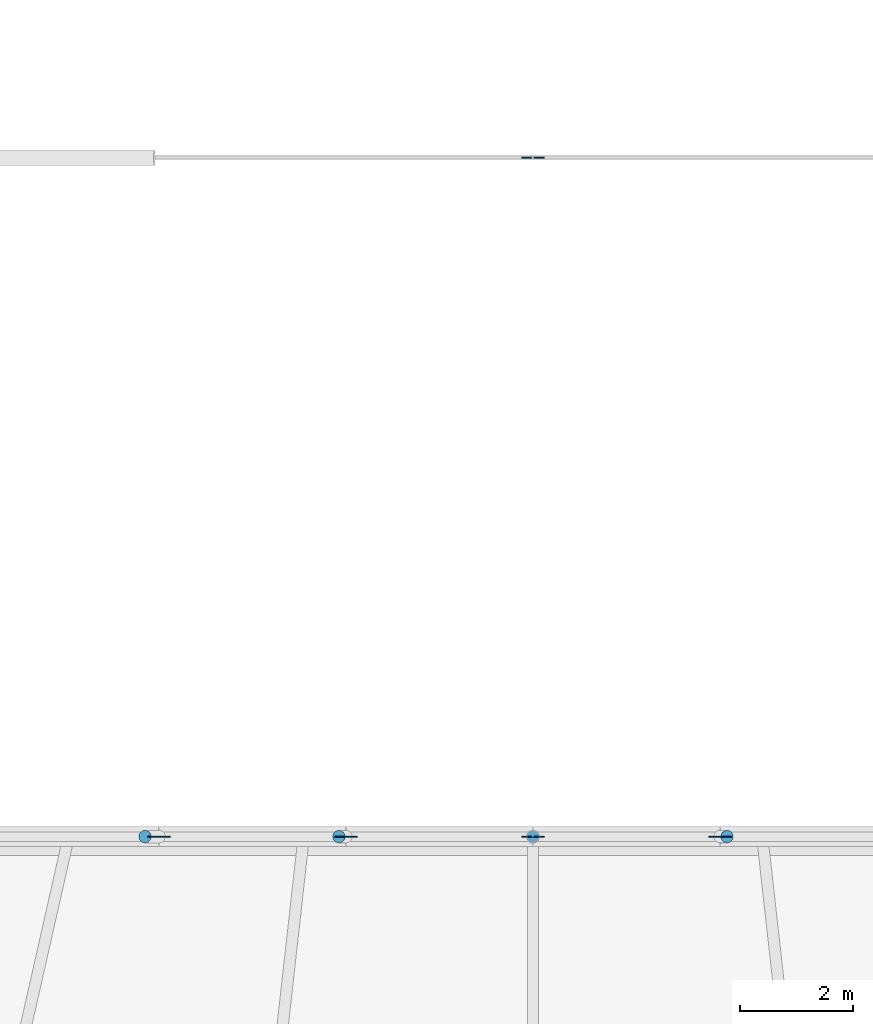
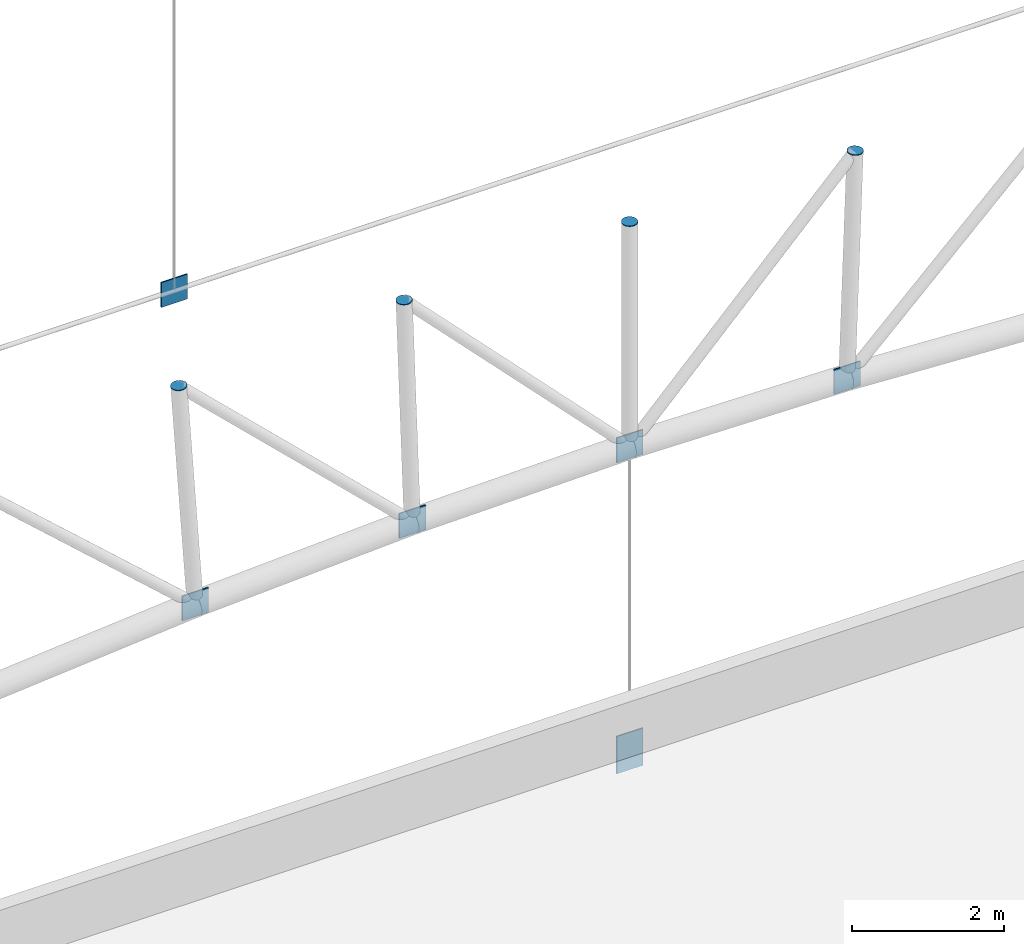
# One storey, part 264 of 321: 11 discrete accessories.
"""IFC4 building model written with IfcOpenShell, lengths in metres."""

from ifc_helpers import new_model, si_unit, direction, frame, origin, origin_2d, place, context, subcontext, project, spatial, rectangle, circle, extrude, material, material_profile, profile_set, type_object, element, save


model = new_model("IFC4")

# Units and contexts
model_context = context("Model", 3, precision=1e-05, world=origin(), true_north=direction((0.0, 1.0)))
body_context = subcontext(model_context, "Body", "Model", "MODEL_VIEW")
ifc_project = project(units=[si_unit("LENGTHUNIT", "METRE"), si_unit("AREAUNIT", "SQUARE_METRE"), si_unit("VOLUMEUNIT", "CUBIC_METRE"), si_unit("PLANEANGLEUNIT", "RADIAN"), si_unit("MASSUNIT", "GRAM", prefix="KILO")], contexts=[model_context])

# Site, building, storey
site_placement = place(None, origin())
site = spatial("IfcSite", under=ifc_project, at=site_placement, CompositionType="ELEMENT")
building_placement = place(site_placement, origin())
building = spatial("IfcBuilding", under=site, at=building_placement, Name="Ravi Spectrum Wholesale Market", CompositionType="ELEMENT")
storey_placement = place(building_placement, frame((0.0, 0.0, 10.800048828125)))
storey = spatial("IfcBuildingStorey", under=building, at=storey_placement, Name="L02", CompositionType="ELEMENT", Elevation=10.800048828125)

# Discrete accessories
ifc_material_1 = material(Name="Steel S355", Category="steel")
ifc_material_profile_1 = material_profile(ifc_material_1, circle(Radius=0.109619140625, at=origin_2d()))
ifc_profile_set_1 = profile_set([ifc_material_profile_1], Name="Steel S355")
discrete_accessory_type_1 = type_object("IfcDiscreteAccessoryType", Name="End plate CHS 219.1x8", PredefinedType="BRACKET", material=ifc_profile_set_1)
for number, where, z_axis, x_axis, name in (
    (1, (63.14453125, 30.0, 8.163330078125), (-0.081362009455, 0.0, 0.996684615823), (0.0, -1.0, 0.0), "End plate"),
    (2, (66.5703125, 30.0, 8.3408203125), (-0.040782369514, 0.0, 0.999168053101), (0.0, -1.0, 0.0), "End plate"),
    (3, (70.0, 30.0, 8.39990234375), (0.0, 0.0, 1.0), (1.0, 0.0, 0.0), "End plate"),
    (4, (73.4296875, 30.0, 8.3408203125), (0.040782369514, 0.0, 0.999168053101), (0.0, 1.0, 0.0), "End plate"),
):
    element("IfcDiscreteAccessory", number, at=place(storey_placement, frame(where, z_axis=z_axis, x_axis=x_axis)), inside=storey, type_object=discrete_accessory_type_1, Name=name, PredefinedType="BRACKET", context=body_context, shape_type="SweptSolid", body=[
        extrude(circle(Radius=0.109619140625, at=origin_2d()), origin(), (0.0, 0.0, 1.0), 0.011962890625),
    ])
ifc_material_2 = material(Name="Steel S355", Category="steel")
ifc_material_profile_2 = material_profile(ifc_material_2, rectangle(XDim=0.39990234375, YDim=0.02001953125, at=origin_2d()))
ifc_profile_set_2 = profile_set([ifc_material_profile_2], Name="Steel S355")
discrete_accessory_type_2 = type_object("IfcDiscreteAccessoryType", Name="Gusset plate 400x400x20", PredefinedType="BRACKET", material=ifc_profile_set_2)
discrete_accessory_1_placement = place(storey_placement, frame((63.392578125, 30.0, 4.371826171875), z_axis=(0.0, 0.0, 1.0), x_axis=(1.0, 0.0, 0.0)))
element("IfcDiscreteAccessory", 5, at=discrete_accessory_1_placement, inside=storey, type_object=discrete_accessory_type_2, Name="Gusset plate", PredefinedType="BRACKET", context=body_context, shape_type="SweptSolid", body=[
    extrude(rectangle(XDim=0.39990234375, YDim=0.02001953125, at=origin_2d()), origin(), (0.0, 0.0, 1.0), 0.400146484375),
])
discrete_accessory_2_placement = place(storey_placement, frame((66.6943359375, 30.0, 4.54296875), z_axis=(0.0, 0.0, 1.0), x_axis=(1.0, 0.0, 0.0)))
element("IfcDiscreteAccessory", 6, at=discrete_accessory_2_placement, inside=storey, type_object=discrete_accessory_type_2, Name="Gusset plate", PredefinedType="BRACKET", context=body_context, shape_type="SweptSolid", body=[
    extrude(rectangle(XDim=0.39990234375, YDim=0.02001953125, at=origin_2d()), origin(), (0.0, 0.0, 1.0), 0.39990234375),
])
discrete_accessory_3_placement = place(storey_placement, frame((70.0, 30.0, -0.400146484375), z_axis=(0.0, 0.0, 1.0), x_axis=(1.0, 0.0, 0.0)))
element("IfcDiscreteAccessory", 7, at=discrete_accessory_3_placement, inside=storey, type_object=discrete_accessory_type_2, Name="Gusset plate", PredefinedType="BRACKET", context=body_context, shape_type="SweptSolid", body=[
    extrude(rectangle(XDim=0.39990234375, YDim=0.02001953125, at=origin_2d()), origin(), (0.0, 0.0, 1.0), 0.400146484375),
])
discrete_accessory_4_placement = place(storey_placement, frame((70.0, 30.0, -0.199951171875), z_axis=(0.0, 0.0, 1.0), x_axis=(1.0, 0.0, 0.0)))
element("IfcDiscreteAccessory", 8, at=discrete_accessory_4_placement, inside=storey, type_object=discrete_accessory_type_2, Name="Gusset plate", PredefinedType="BRACKET", context=body_context, shape_type="SweptSolid", body=[
    extrude(rectangle(XDim=0.39990234375, YDim=0.02001953125, at=origin_2d()), origin(), (0.0, 0.0, 1.0), 0.39990234375),
])
discrete_accessory_5_placement = place(storey_placement, frame((70.0, 30.0, 4.599853515625), z_axis=(0.0, 0.0, 1.0), x_axis=(1.0, 0.0, 0.0)))
element("IfcDiscreteAccessory", 9, at=discrete_accessory_5_placement, inside=storey, type_object=discrete_accessory_type_2, Name="Gusset plate", PredefinedType="BRACKET", context=body_context, shape_type="SweptSolid", body=[
    extrude(rectangle(XDim=0.39990234375, YDim=0.02001953125, at=origin_2d()), origin(), (0.0, 0.0, 1.0), 0.400146484375),
])
for number, where, z_axis, x_axis, name in (
    (10, (70.0, 42.0, -0.1767578125), (0.0, 0.0, 1.0), (1.0, 0.0, 0.0), "Gusset plate"),
    (11, (73.3056640625, 30.0, 4.54296875), (0.0, 0.0, 1.0), (-1.0, 0.0, 0.0), "Gusset plate"),
):
    element("IfcDiscreteAccessory", number, at=place(storey_placement, frame(where, z_axis=z_axis, x_axis=x_axis)), inside=storey, type_object=discrete_accessory_type_2, Name=name, PredefinedType="BRACKET", context=body_context, shape_type="SweptSolid", body=[
        extrude(rectangle(XDim=0.39990234375, YDim=0.02001953125, at=origin_2d()), origin(), (0.0, 0.0, 1.0), 0.39990234375),
    ])

save(model, "model.ifc")
